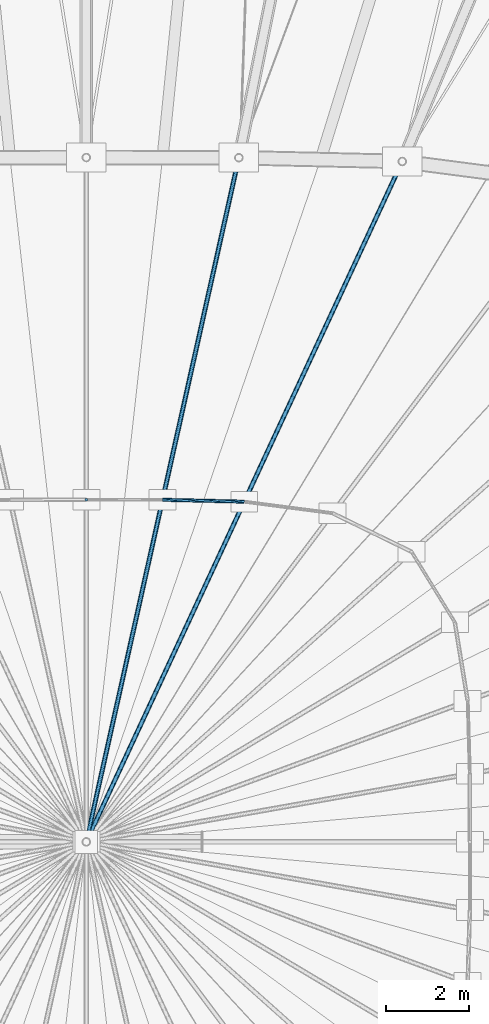
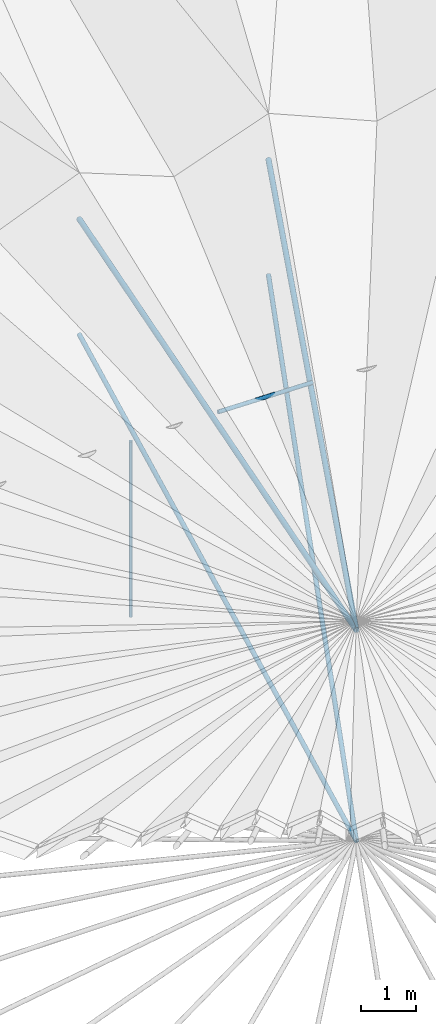
# One storey, part 16 of 41: 6 members.
"""IFC4 building model written with IfcOpenShell, lengths in metres."""

from ifc_helpers import new_model, si_unit, direction, frame, origin, origin_2d, place, context, subcontext, project, spatial, circle, extrude, material, material_profile, profile_set, type_object, element, save


model = new_model("IFC4")

# Units and contexts
model_context = context("Model", 3, precision=1e-05, world=origin(), true_north=direction((0.0, 1.0)))
body_context = subcontext(model_context, "Body", "Model", "MODEL_VIEW")
ifc_project = project(units=[si_unit("LENGTHUNIT", "METRE"), si_unit("AREAUNIT", "SQUARE_METRE"), si_unit("VOLUMEUNIT", "CUBIC_METRE"), si_unit("PLANEANGLEUNIT", "RADIAN"), si_unit("MASSUNIT", "GRAM", prefix="KILO")], contexts=[model_context])

# Site, building, storey
site_placement = place(None, origin())
site = spatial("IfcSite", under=ifc_project, at=site_placement, CompositionType="ELEMENT")
building_placement = place(site_placement, origin())
building = spatial("IfcBuilding", under=site, at=building_placement, Name="Luwafu Chhajja Arena", CompositionType="ELEMENT")
storey_placement = place(building_placement, frame((0.0, 0.0, 29.699951171875)))
storey = spatial("IfcBuildingStorey", under=building, at=storey_placement, Name="RF", CompositionType="ELEMENT", Elevation=29.699951171875)

# Members
ifc_material = material(Name="Steel S460", Category="steel")
ifc_material_profile_1 = material_profile(ifc_material, circle(Radius=0.04248046875, at=origin_2d()), Name="CABLE D85")
ifc_profile_set_1 = profile_set([ifc_material_profile_1], Name="Steel S460")
member_type_1 = type_object("IfcMemberType", Name="Oculus Hoop Tie Cable D85", PredefinedType="USERDEFINED", material=ifc_profile_set_1)
member_1_placement = place(storey_placement, frame((102.809326171875, 57.7021484375, 8.02001953125), z_axis=(-0.999731565155, 0.023168893628, 0.0), x_axis=(-0.023168893628, -0.999731565155, 0.0)))
element("IfcMember", 1, at=member_1_placement, inside=storey, type_object=member_type_1, Name="Cable net hoop cable CBH-07", ObjectType="CABLE", PredefinedType="USERDEFINED", context=body_context, shape_type="SweptSolid", body=[
    extrude(circle(Radius=0.04248046875, at=origin_2d()), origin(), (0.0, 0.0, 1.0), 1.970458984375),
])
ifc_material_profile_2 = material_profile(ifc_material, circle(Radius=0.054931640625, at=origin_2d()), Name="CABLE D110")
ifc_profile_set_2 = profile_set([ifc_material_profile_2], Name="Steel S460")
member_type_2 = type_object("IfcMemberType", Name="Oculus Radial Main Cable D110", PredefinedType="USERDEFINED", material=ifc_profile_set_2)
member_2_placement = place(storey_placement, frame((106.61865234375, 65.904541015625, 6.679931640625), z_axis=(-0.418349875467, -0.900794180037, 0.116418327198), x_axis=(0.906961273294, -0.421214017746, 0.0)))
element("IfcMember", 2, at=member_2_placement, inside=storey, type_object=member_type_2, Name="Cable net main cable CBM-07", ObjectType="CABLE", PredefinedType="USERDEFINED", context=body_context, shape_type="SweptSolid", body=[
    extrude(circle(Radius=0.054931640625, at=origin_2d()), origin(), (0.0, 0.0, 1.0), 18.211181640625),
])
member_3_placement = place(storey_placement, frame((102.678955078125, 65.99560546875, 6.679931640625), z_axis=(-0.215985560468, -0.968430577916, 0.124468684525), x_axis=(0.976020566131, -0.21767832802, 0.0)))
element("IfcMember", 3, at=member_3_placement, inside=storey, type_object=member_type_2, Name="Cable net main cable CBM-08", ObjectType="CABLE", PredefinedType="USERDEFINED", context=body_context, shape_type="SweptSolid", body=[
    extrude(circle(Radius=0.054931640625, at=origin_2d()), origin(), (0.0, 0.0, 1.0), 17.033447265625),
])
ifc_material_profile_3 = material_profile(ifc_material, circle(Radius=0.047607421875, at=origin_2d()), Name="CABLE D95")
ifc_profile_set_3 = profile_set([ifc_material_profile_3], Name="Steel S460")
member_type_3 = type_object("IfcMemberType", Name="Oculus Radial Stabilizing Cable D95", PredefinedType="USERDEFINED", material=ifc_profile_set_3)
member_4_placement = place(storey_placement, frame((106.61865234375, 65.904541015625, 4.10009765625), z_axis=(-0.421214017746, -0.906961273294, 0.0), x_axis=(0.906961273294, -0.421214017746, 0.0)))
element("IfcMember", 4, at=member_4_placement, inside=storey, type_object=member_type_3, Name="Cable net radial split stabilizing cable CBS-07", ObjectType="CABLE", PredefinedType="USERDEFINED", context=body_context, shape_type="SweptSolid", body=[
    extrude(circle(Radius=0.047607421875, at=origin_2d()), origin(), (0.0, 0.0, 1.0), 18.08740234375),
])
member_5_placement = place(storey_placement, frame((102.678955078125, 65.99560546875, 4.10009765625), z_axis=(-0.21767832802, -0.976020566131, 0.0), x_axis=(0.976020566131, -0.21767832802, 0.0)))
element("IfcMember", 5, at=member_5_placement, inside=storey, type_object=member_type_3, Name="Cable net radial split stabilizing cable CBS-08", ObjectType="CABLE", PredefinedType="USERDEFINED", context=body_context, shape_type="SweptSolid", body=[
    extrude(circle(Radius=0.047607421875, at=origin_2d()), origin(), (0.0, 0.0, 1.0), 16.90087890625),
])
ifc_material_profile_4 = material_profile(ifc_material, circle(Radius=0.034912109375, at=origin_2d()), Name="CABLE D70")
ifc_profile_set_4 = profile_set([ifc_material_profile_4], Name="Steel S460")
member_type_4 = type_object("IfcMemberType", Name="Oculus Secondary Tie Cable D70", PredefinedType="USERDEFINED", material=ifc_profile_set_4)
member_6_placement = place(storey_placement, frame((99.0, 57.75, 4.10009765625), z_axis=(0.0, 0.0, 1.0), x_axis=(1.0, 0.0, 0.0)))
element("IfcMember", 6, at=member_6_placement, inside=storey, type_object=member_type_4, Name="Cable net vertical hanger tie CBT-03", ObjectType="CABLE", PredefinedType="USERDEFINED", context=body_context, shape_type="SweptSolid", body=[
    extrude(circle(Radius=0.034912109375, at=origin_2d()), origin(), (0.0, 0.0, 1.0), 3.919921875),
])

save(model, "model.ifc")
